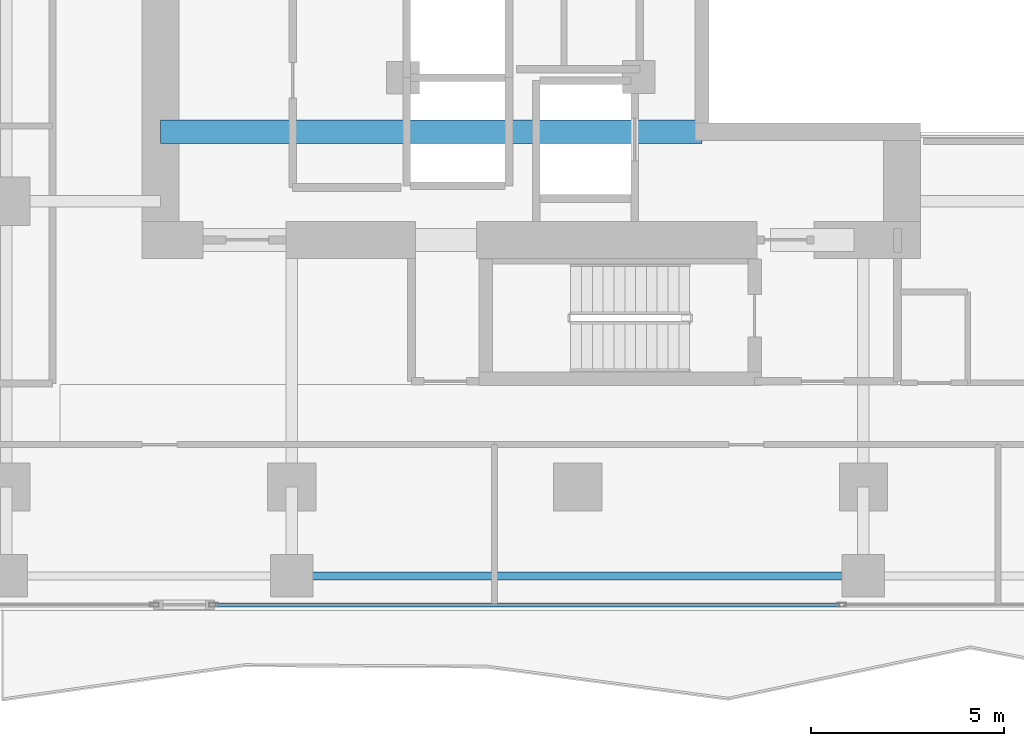
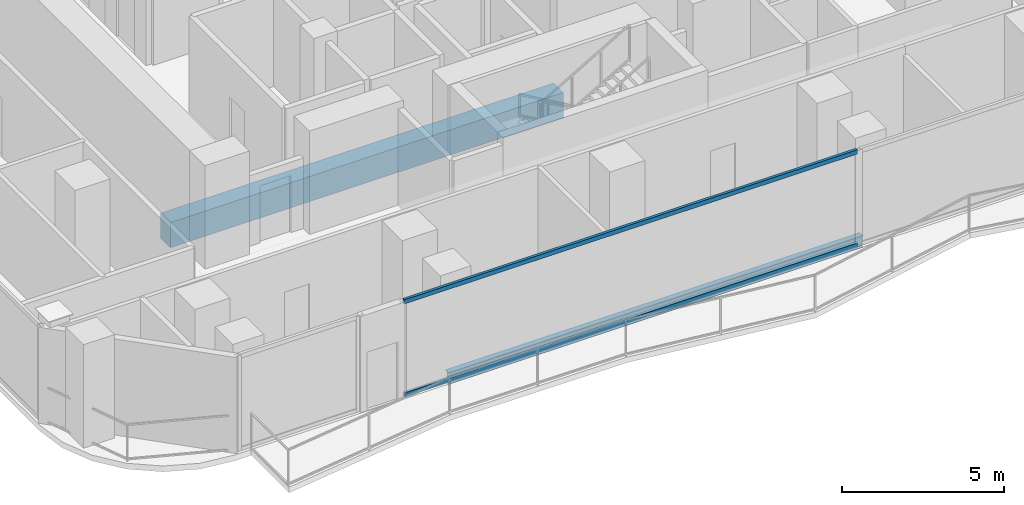
# One storey, part 3 of 27: 2 beams, 2 members, 1 element without a shape of its own.
"""IFC4 building model written with IfcOpenShell, lengths in metres."""

from ifc_helpers import new_model, si_unit, direction, frame, origin, origin_2d, place, context, subcontext, project, spatial, rectangle, hollow_rectangle, i_section, extrude, material, layer, layer_set, material_profile, profile_set, type_object, element, aggregate, save


model = new_model("IFC4")

# Units and contexts
model_context = context("Model", 3, precision=1e-05, world=origin(), true_north=direction((0.0, 1.0)))
body_context = subcontext(model_context, "Body", "Model", "MODEL_VIEW")
ifc_project = project(units=[si_unit("LENGTHUNIT", "METRE"), si_unit("AREAUNIT", "SQUARE_METRE"), si_unit("VOLUMEUNIT", "CUBIC_METRE"), si_unit("PLANEANGLEUNIT", "RADIAN"), si_unit("MASSUNIT", "GRAM", prefix="KILO")], contexts=[model_context])

# Site, building, storey
site_placement = place(None, origin())
site = spatial("IfcSite", under=ifc_project, at=site_placement, CompositionType="ELEMENT")
building_placement = place(site_placement, origin())
building = spatial("IfcBuilding", under=site, at=building_placement, Name="Khorvyn Point Tower", CompositionType="ELEMENT")
storey_placement = place(building_placement, frame((0.0, 0.0, 132.89990234375)))
storey = spatial("IfcBuildingStorey", under=building, at=storey_placement, Name="L33", CompositionType="ELEMENT", Elevation=132.89990234375)

# Curtain wall, members
ifc_material_1 = material(Name="Anodised aluminium 6063-T6 and laminated Low-E glass", Category="aluminium")
ifc_layer = layer(ifc_material_1, 0.18994140625)
ifc_layer_set = layer_set([ifc_layer], Name="Stick-Built Acoustic Curtain Wall CW-SYS-03")
curtain_wall_type = type_object("IfcCurtainWallType", Name="Stick-Built Acoustic Curtain Wall CW-SYS-03", PredefinedType="NOTDEFINED", material=ifc_layer_set)
curtain_wall_placement = place(storey_placement, origin())
curtain_wall = element("IfcCurtainWall", 1, at=curtain_wall_placement, inside=storey, type_object=curtain_wall_type, Name="Curtain Wall", PredefinedType="NOTDEFINED")
ifc_material_2 = material(Name="Anodised aluminium 6063-T6", Category="aluminium")
ifc_material_profile_1 = material_profile(ifc_material_2, hollow_rectangle(XDim=0.10009765625, YDim=0.159912109375, WallThickness=0.00439453125, at=origin_2d()))
ifc_profile_set_1 = profile_set([ifc_material_profile_1], Name="Anodised aluminium 6063-T6 ALU-TRN-100x160")
member_type = type_object("IfcMemberType", Name="Anodised Aluminium 6063-T6 Transom ALU-TRN-100x160", PredefinedType="USERDEFINED", material=ifc_profile_set_1)
member_1_placement = place(storey_placement, frame((6.78857421875, -17.85009765625, 0.050048828125), z_axis=(-1.0, 0.0, 0.0), x_axis=(0.0, -1.0, 0.0)))
member_1 = element("IfcMember", 2, at=member_1_placement, type_object=member_type, Name="Transom", ObjectType="TRANSOM", PredefinedType="USERDEFINED", context=body_context, shape_type="SweptSolid", body=[
    extrude(hollow_rectangle(XDim=0.10009765625, YDim=0.159912109375, WallThickness=0.00439453125, at=origin_2d()), origin(), (0.0, 0.0, 1.0), 16.16162109375),
])
member_2_placement = place(storey_placement, frame((6.78857421875, -17.85009765625, 3.570068359375), z_axis=(-1.0, 0.0, 0.0), x_axis=(0.0, -1.0, 0.0)))
member_2 = element("IfcMember", 3, at=member_2_placement, type_object=member_type, Name="Transom", ObjectType="TRANSOM", PredefinedType="USERDEFINED", context=body_context, shape_type="SweptSolid", body=[
    extrude(hollow_rectangle(XDim=0.10009765625, YDim=0.159912109375, WallThickness=0.00439453125, at=origin_2d()), origin(), (0.0, 0.0, 1.0), 16.16162109375),
])
aggregate(curtain_wall, [member_1, member_2])

# Beams
ifc_material_3 = material(Name="Concrete C50/60", Category="concrete")
ifc_material_profile_2 = material_profile(ifc_material_3, rectangle(XDim=0.60009765625, YDim=0.949951171875, at=origin_2d()))
ifc_profile_set_2 = profile_set([ifc_material_profile_2], Name="Concrete C50/60 RC600x950")
beam_type_1 = type_object("IfcBeamType", Name="Concrete C50/60 Beam RC600x950", PredefinedType="BEAM", material=ifc_profile_set_2)
beam_1_placement = place(storey_placement, frame((-10.800048828125, -5.60009765625, -0.69482421875), z_axis=(1.0, 0.0, 0.0), x_axis=(0.0, 1.0, 0.0)))
element("IfcBeam", 4, at=beam_1_placement, inside=storey, type_object=beam_type_1, Name="L33 Core Internal Tie Girder S", PredefinedType="BEAM", context=body_context, shape_type="SweptSolid", body=[
    extrude(rectangle(XDim=0.60009765625, YDim=0.949951171875, at=origin_2d()), origin(), (0.0, 0.0, 1.0), 14.02001953125),
])
ifc_material_4 = material(Name="Steel S355", Category="steel")
ifc_material_profile_3 = material_profile(ifc_material_4, i_section(OverallWidth=0.199951171875, OverallDepth=0.449951171875, WebThickness=0.009033203125, FlangeThickness=0.013916015625, at=origin_2d()))
ifc_profile_set_3 = profile_set([ifc_material_profile_3], Name="Steel S355 H450x200x9x14")
beam_type_2 = type_object("IfcBeamType", Name="Steel S355 Spandrel H450x200x9x14", PredefinedType="SPANDREL", material=ifc_profile_set_3)
beam_2_placement = place(storey_placement, frame((-7.39990234375, -17.10009765625, -0.44482421875), z_axis=(1.0, 0.0, 0.0), x_axis=(0.0, 1.0, 0.0)))
element("IfcBeam", 5, at=beam_2_placement, inside=storey, type_object=beam_type_2, Name="Beam", PredefinedType="SPANDREL", context=body_context, shape_type="SweptSolid", body=[
    extrude(i_section(OverallWidth=0.199951171875, OverallDepth=0.449951171875, WebThickness=0.009033203125, FlangeThickness=0.013916015625, at=origin_2d()), origin(), (0.0, 0.0, 1.0), 14.7998046875),
])

save(model, "model.ifc")
